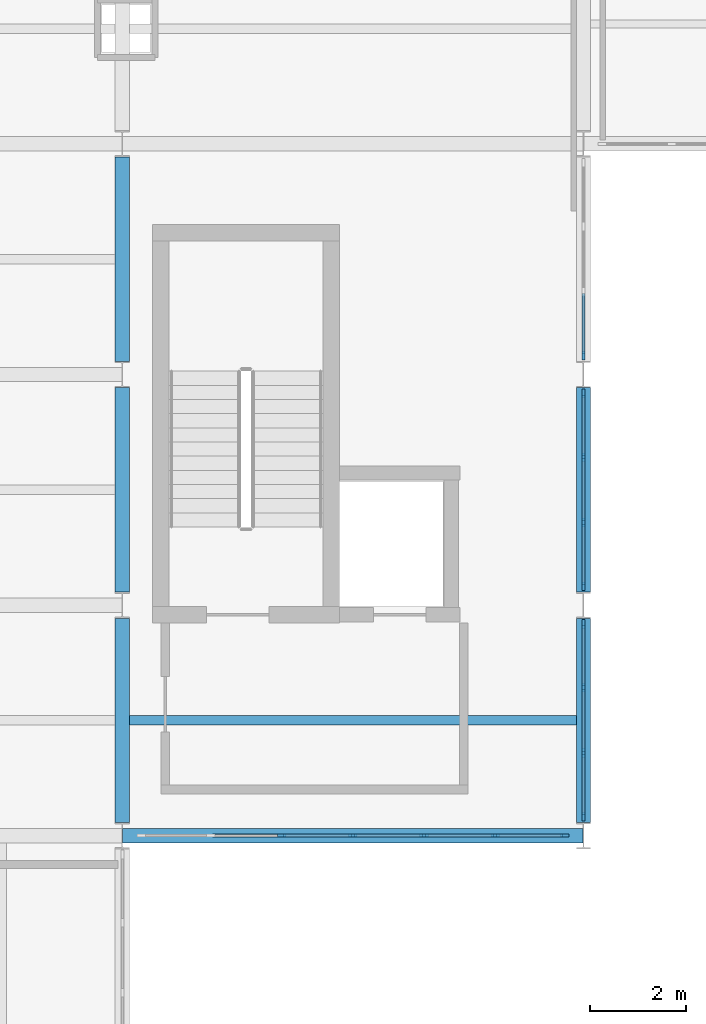
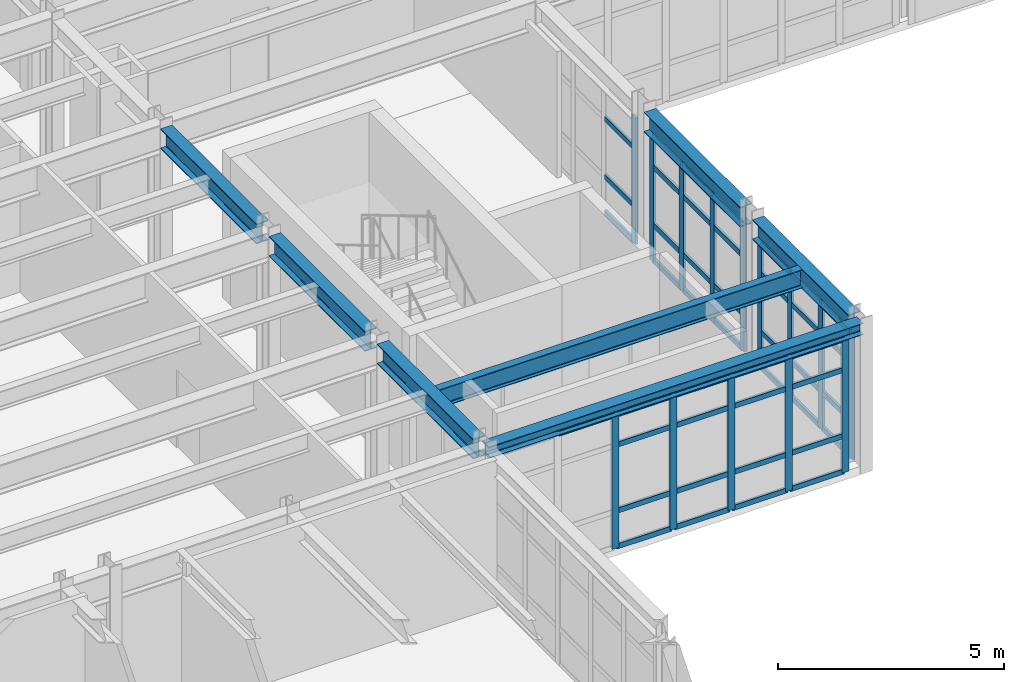
# One storey, part 27 of 76: 58 members, 7 beams, 4 elements without a shape of their own.
"""IFC4 building model written with IfcOpenShell, lengths in metres."""

from ifc_helpers import new_model, si_unit, direction, frame, origin, origin_2d, place, context, subcontext, project, spatial, rectangle, i_section, extrude, material, layer, layer_set, material_profile, profile_set, type_object, element, aggregate, save


model = new_model("IFC4")

# Units and contexts
model_context = context("Model", 3, precision=1e-05, world=origin(), true_north=direction((0.0, 1.0)))
body_context = subcontext(model_context, "Body", "Model", "MODEL_VIEW")
ifc_project = project(units=[si_unit("LENGTHUNIT", "METRE"), si_unit("AREAUNIT", "SQUARE_METRE"), si_unit("VOLUMEUNIT", "CUBIC_METRE"), si_unit("PLANEANGLEUNIT", "RADIAN"), si_unit("MASSUNIT", "GRAM", prefix="KILO")], contexts=[model_context])

# Site, building, storey
site_placement = place(None, origin())
site = spatial("IfcSite", under=ifc_project, at=site_placement, CompositionType="ELEMENT")
building_placement = place(site_placement, origin())
building = spatial("IfcBuilding", under=site, at=building_placement, Name="Nordkorset Police Headquarters", CompositionType="ELEMENT")
storey_placement = place(building_placement, frame((0.0, 0.0, 13.64990234375)))
storey = spatial("IfcBuildingStorey", under=building, at=storey_placement, Name="L03", CompositionType="ELEMENT", Elevation=13.64990234375)

# Beam
ifc_material_1 = material(Name="Steel S355J2", Category="steel")
ifc_material_profile_1 = material_profile(ifc_material_1, i_section(OverallWidth=0.199951171875, OverallDepth=0.5, WebThickness=0.01025390625, FlangeThickness=0.01611328125, FilletRadius=0.02099609375, at=origin_2d()), Name="IPE 500")
ifc_profile_set_1 = profile_set([ifc_material_profile_1], Name="Steel S355J2")
beam_type_1 = type_object("IfcBeamType", Name="Beam_IPE_500", PredefinedType="BEAM", material=ifc_profile_set_1)
beam_1_placement = place(storey_placement, frame((19.35009765625, 85.60009765625, 3.72998046875), z_axis=(1.0, 0.0, 0.0), x_axis=(0.0, 1.0, 0.0)))
element("IfcBeam", 1, at=beam_1_placement, inside=storey, type_object=beam_type_1, Name="Composite Floor Beam V1 L03 1-0-1", PredefinedType="BEAM", context=body_context, shape_type="SweptSolid", body=[
    extrude(i_section(OverallWidth=0.199951171875, OverallDepth=0.5, WebThickness=0.01025390625, FlangeThickness=0.01611328125, FilletRadius=0.02099609375, at=origin_2d()), origin(), (0.0, 0.0, 1.0), 9.2998046875),
])

# Curtain wall, members
ifc_material_2 = material(Name="Aluminium alloy AW-6060", Category="aluminium")
ifc_layer_1 = layer(ifc_material_2, 0.179931640625, Name="Aluminium alloy AW-6060")
ifc_layer_set_1 = layer_set([ifc_layer_1], Name="Aluminium alloy AW-6060")
curtain_wall_type_1 = type_object("IfcCurtainWallType", Name="CW_Unit_408x342", PredefinedType="USERDEFINED", material=ifc_layer_set_1)
curtain_wall_1_placement = place(storey_placement, origin())
curtain_wall_1 = element("IfcCurtainWall", 2, at=curtain_wall_1_placement, inside=storey, type_object=curtain_wall_type_1, Name="Unitised Curtain Wall L03 V1E-0", ObjectType="UNITISED CURTAIN WALL", PredefinedType="USERDEFINED")
ifc_material_3 = material(Name="Aluminium alloy AW-6060", Category="aluminium")
ifc_material_profile_2 = material_profile(ifc_material_3, rectangle(XDim=0.06494140625, YDim=0.179931640625, at=origin_2d()), Name="ALU MULL 65x180")
ifc_profile_set_2 = profile_set([ifc_material_profile_2], Name="Aluminium alloy AW-6060")
member_type_1 = type_object("IfcMemberType", Name="CW_Mullion_65x180", PredefinedType="MULLION", material=ifc_profile_set_2)
member_1_placement = place(storey_placement, frame((28.800048828125, 83.592529296875, 0.0), z_axis=(0.0, 0.0, 1.0), x_axis=(-1.0, 0.0, 0.0)))
member_1 = element("IfcMember", 3, at=member_1_placement, type_object=member_type_1, Name="CW-72 mullion 1", PredefinedType="MULLION", context=body_context, shape_type="SweptSolid", body=[
    extrude(rectangle(XDim=0.06494140625, YDim=0.179931640625, at=origin_2d()), origin(), (0.0, 0.0, 1.0), 3.420166015625),
])
member_2_placement = place(storey_placement, frame((28.800048828125, 84.919921875, 0.0), z_axis=(0.0, 0.0, 1.0), x_axis=(-1.0, 0.0, 0.0)))
member_2 = element("IfcMember", 4, at=member_2_placement, type_object=member_type_1, Name="CW-72 mullion 2", PredefinedType="MULLION", context=body_context, shape_type="SweptSolid", body=[
    extrude(rectangle(XDim=0.06494140625, YDim=0.179931640625, at=origin_2d()), origin(), (0.0, 0.0, 1.0), 3.420166015625),
])
member_3_placement = place(storey_placement, frame((28.800048828125, 86.280029296875, 0.0), z_axis=(0.0, 0.0, 1.0), x_axis=(-1.0, 0.0, 0.0)))
member_3 = element("IfcMember", 5, at=member_3_placement, type_object=member_type_1, Name="CW-72 mullion 3", PredefinedType="MULLION", context=body_context, shape_type="SweptSolid", body=[
    extrude(rectangle(XDim=0.06494140625, YDim=0.179931640625, at=origin_2d()), origin(), (0.0, 0.0, 1.0), 3.420166015625),
])
member_4_placement = place(storey_placement, frame((28.800048828125, 87.607421875, 0.0), z_axis=(0.0, 0.0, 1.0), x_axis=(-1.0, 0.0, 0.0)))
member_4 = element("IfcMember", 6, at=member_4_placement, type_object=member_type_1, Name="CW-72 mullion 4", PredefinedType="MULLION", context=body_context, shape_type="SweptSolid", body=[
    extrude(rectangle(XDim=0.06494140625, YDim=0.179931640625, at=origin_2d()), origin(), (0.0, 0.0, 1.0), 3.420166015625),
])

curtain_wall_2_placement = place(storey_placement, origin())
curtain_wall_2 = element("IfcCurtainWall", 7, at=curtain_wall_2_placement, inside=storey, type_object=curtain_wall_type_1, Name="Unitised Curtain Wall L03 V1E-1", ObjectType="UNITISED CURTAIN WALL", PredefinedType="USERDEFINED")
member_5_placement = place(storey_placement, frame((28.800048828125, 88.392578125, 0.0), z_axis=(0.0, 0.0, 1.0), x_axis=(-1.0, 0.0, 0.0)))
member_5 = element("IfcMember", 8, at=member_5_placement, type_object=member_type_1, Name="CW-72 mullion 1", PredefinedType="MULLION", context=body_context, shape_type="SweptSolid", body=[
    extrude(rectangle(XDim=0.06494140625, YDim=0.179931640625, at=origin_2d()), origin(), (0.0, 0.0, 1.0), 3.420166015625),
])
member_6_placement = place(storey_placement, frame((28.800048828125, 89.719970703125, 0.0), z_axis=(0.0, 0.0, 1.0), x_axis=(-1.0, 0.0, 0.0)))
member_6 = element("IfcMember", 9, at=member_6_placement, type_object=member_type_1, Name="CW-72 mullion 2", PredefinedType="MULLION", context=body_context, shape_type="SweptSolid", body=[
    extrude(rectangle(XDim=0.06494140625, YDim=0.179931640625, at=origin_2d()), origin(), (0.0, 0.0, 1.0), 3.420166015625),
])
member_7_placement = place(storey_placement, frame((28.800048828125, 91.080078125, 0.0), z_axis=(0.0, 0.0, 1.0), x_axis=(-1.0, 0.0, 0.0)))
member_7 = element("IfcMember", 10, at=member_7_placement, type_object=member_type_1, Name="CW-72 mullion 3", PredefinedType="MULLION", context=body_context, shape_type="SweptSolid", body=[
    extrude(rectangle(XDim=0.06494140625, YDim=0.179931640625, at=origin_2d()), origin(), (0.0, 0.0, 1.0), 3.420166015625),
])
member_8_placement = place(storey_placement, frame((28.800048828125, 92.407470703125, 0.0), z_axis=(0.0, 0.0, 1.0), x_axis=(-1.0, 0.0, 0.0)))
member_8 = element("IfcMember", 11, at=member_8_placement, type_object=member_type_1, Name="CW-72 mullion 4", PredefinedType="MULLION", context=body_context, shape_type="SweptSolid", body=[
    extrude(rectangle(XDim=0.06494140625, YDim=0.179931640625, at=origin_2d()), origin(), (0.0, 0.0, 1.0), 3.420166015625),
])

# Curtain wall, member
curtain_wall_3_placement = place(storey_placement, origin())
curtain_wall_3 = element("IfcCurtainWall", 12, at=curtain_wall_3_placement, inside=storey, type_object=curtain_wall_type_1, Name="Unitised Curtain Wall L03 V1E-2", ObjectType="UNITISED CURTAIN WALL", PredefinedType="USERDEFINED")
member_9_placement = place(storey_placement, frame((28.800048828125, 93.1923828125, 0.0), z_axis=(0.0, 0.0, 1.0), x_axis=(-1.0, 0.0, 0.0)))
member_9 = element("IfcMember", 13, at=member_9_placement, type_object=member_type_1, Name="CW-72 mullion 1", PredefinedType="MULLION", context=body_context, shape_type="SweptSolid", body=[
    extrude(rectangle(XDim=0.06494140625, YDim=0.179931640625, at=origin_2d()), origin(), (0.0, 0.0, 1.0), 3.420166015625),
])

# Curtain wall, members
ifc_material_4 = material(Name="Aluminium alloy AW-6060", Category="aluminium")
ifc_layer_2 = layer(ifc_material_4, 0.179931640625, Name="Aluminium alloy AW-6060")
ifc_layer_set_2 = layer_set([ifc_layer_2], Name="Aluminium alloy AW-6060")
curtain_wall_type_2 = type_object("IfcCurtainWallType", Name="CW_Unit_888x364", PredefinedType="USERDEFINED", material=ifc_layer_set_2)
curtain_wall_4_placement = place(storey_placement, origin())
curtain_wall_4 = element("IfcCurtainWall", 14, at=curtain_wall_4_placement, inside=storey, type_object=curtain_wall_type_2, Name="Unitised Curtain Wall L03 V1S-2", ObjectType="UNITISED CURTAIN WALL", PredefinedType="USERDEFINED")
member_10_placement = place(storey_placement, frame((22.52001953125, 83.199951171875, 0.0), z_axis=(0.0, 0.0, 1.0), x_axis=(0.0, 1.0, 0.0)))
member_10 = element("IfcMember", 15, at=member_10_placement, type_object=member_type_1, Name="CW-53 mullion 3", PredefinedType="MULLION", context=body_context, shape_type="SweptSolid", body=[
    extrude(rectangle(XDim=0.06494140625, YDim=0.179931640625, at=origin_2d()), origin(), (0.0, 0.0, 1.0), 3.635009765625),
])
member_11_placement = place(storey_placement, frame((24.0, 83.199951171875, 0.0), z_axis=(0.0, 0.0, 1.0), x_axis=(0.0, 1.0, 0.0)))
member_11 = element("IfcMember", 16, at=member_11_placement, type_object=member_type_1, Name="CW-53 mullion 4", PredefinedType="MULLION", context=body_context, shape_type="SweptSolid", body=[
    extrude(rectangle(XDim=0.06494140625, YDim=0.179931640625, at=origin_2d()), origin(), (0.0, 0.0, 1.0), 3.635009765625),
])
member_12_placement = place(storey_placement, frame((25.47998046875, 83.199951171875, 0.0), z_axis=(0.0, 0.0, 1.0), x_axis=(0.0, 1.0, 0.0)))
member_12 = element("IfcMember", 17, at=member_12_placement, type_object=member_type_1, Name="CW-53 mullion 5", PredefinedType="MULLION", context=body_context, shape_type="SweptSolid", body=[
    extrude(rectangle(XDim=0.06494140625, YDim=0.179931640625, at=origin_2d()), origin(), (0.0, 0.0, 1.0), 3.635009765625),
])
member_13_placement = place(storey_placement, frame((26.9599609375, 83.199951171875, 0.0), z_axis=(0.0, 0.0, 1.0), x_axis=(0.0, 1.0, 0.0)))
member_13 = element("IfcMember", 18, at=member_13_placement, type_object=member_type_1, Name="CW-53 mullion 6", PredefinedType="MULLION", context=body_context, shape_type="SweptSolid", body=[
    extrude(rectangle(XDim=0.06494140625, YDim=0.179931640625, at=origin_2d()), origin(), (0.0, 0.0, 1.0), 3.635009765625),
])
member_14_placement = place(storey_placement, frame((28.407470703125, 83.199951171875, 0.0), z_axis=(0.0, 0.0, 1.0), x_axis=(0.0, 1.0, 0.0)))
member_14 = element("IfcMember", 19, at=member_14_placement, type_object=member_type_1, Name="CW-53 mullion 7", PredefinedType="MULLION", context=body_context, shape_type="SweptSolid", body=[
    extrude(rectangle(XDim=0.06494140625, YDim=0.179931640625, at=origin_2d()), origin(), (0.0, 0.0, 1.0), 3.635009765625),
])

# Member
ifc_material_5 = material(Name="Aluminium alloy AW-6060", Category="aluminium")
ifc_material_profile_3 = material_profile(ifc_material_5, rectangle(XDim=0.06494140625, YDim=0.139892578125, at=origin_2d()), Name="ALU TRAN 65x140")
ifc_profile_set_3 = profile_set([ifc_material_profile_3], Name="Aluminium alloy AW-6060")
member_type_2 = type_object("IfcMemberType", Name="CW_Transom_65x140", PredefinedType="USERDEFINED", material=ifc_profile_set_3)
member_15_placement = place(storey_placement, frame((28.800048828125, 83.625, 0.03271484375), z_axis=(0.0, 1.0, 0.0), x_axis=(-1.0, 0.0, 0.0)))
member_15 = element("IfcMember", 20, at=member_15_placement, type_object=member_type_2, Name="CW-72 transom 1.1", ObjectType="TRANSOM", PredefinedType="USERDEFINED", context=body_context, shape_type="SweptSolid", body=[
    extrude(rectangle(XDim=0.06494140625, YDim=0.139892578125, at=origin_2d()), origin(), (0.0, 0.0, 1.0), 1.262451171875),
])

member_16_placement = place(storey_placement, frame((28.800048828125, 83.625, 1.0), z_axis=(0.0, 1.0, 0.0), x_axis=(-1.0, 0.0, 0.0)))
member_16 = element("IfcMember", 21, at=member_16_placement, type_object=member_type_2, Name="CW-72 transom 1.2", ObjectType="TRANSOM", PredefinedType="USERDEFINED", context=body_context, shape_type="SweptSolid", body=[
    extrude(rectangle(XDim=0.06494140625, YDim=0.139892578125, at=origin_2d()), origin(), (0.0, 0.0, 1.0), 1.262451171875),
])

member_17_placement = place(storey_placement, frame((28.800048828125, 83.625, 2.570068359375), z_axis=(0.0, 1.0, 0.0), x_axis=(-1.0, 0.0, 0.0)))
member_17 = element("IfcMember", 22, at=member_17_placement, type_object=member_type_2, Name="CW-72 transom 1.3", ObjectType="TRANSOM", PredefinedType="USERDEFINED", context=body_context, shape_type="SweptSolid", body=[
    extrude(rectangle(XDim=0.06494140625, YDim=0.139892578125, at=origin_2d()), origin(), (0.0, 0.0, 1.0), 1.262451171875),
])

member_18_placement = place(storey_placement, frame((28.800048828125, 83.625, 3.3876953125), z_axis=(0.0, 1.0, 0.0), x_axis=(-1.0, 0.0, 0.0)))
member_18 = element("IfcMember", 23, at=member_18_placement, type_object=member_type_2, Name="CW-72 transom 1.4", ObjectType="TRANSOM", PredefinedType="USERDEFINED", context=body_context, shape_type="SweptSolid", body=[
    extrude(rectangle(XDim=0.06494140625, YDim=0.139892578125, at=origin_2d()), origin(), (0.0, 0.0, 1.0), 1.262451171875),
])

member_19_placement = place(storey_placement, frame((28.800048828125, 84.952392578125, 0.03271484375), z_axis=(0.0, 1.0, 0.0), x_axis=(-1.0, 0.0, 0.0)))
member_19 = element("IfcMember", 24, at=member_19_placement, type_object=member_type_2, Name="CW-72 transom 2.1", ObjectType="TRANSOM", PredefinedType="USERDEFINED", context=body_context, shape_type="SweptSolid", body=[
    extrude(rectangle(XDim=0.06494140625, YDim=0.139892578125, at=origin_2d()), origin(), (0.0, 0.0, 1.0), 1.295166015625),
])

member_20_placement = place(storey_placement, frame((28.800048828125, 84.952392578125, 1.0), z_axis=(0.0, 1.0, 0.0), x_axis=(-1.0, 0.0, 0.0)))
member_20 = element("IfcMember", 25, at=member_20_placement, type_object=member_type_2, Name="CW-72 transom 2.2", ObjectType="TRANSOM", PredefinedType="USERDEFINED", context=body_context, shape_type="SweptSolid", body=[
    extrude(rectangle(XDim=0.06494140625, YDim=0.139892578125, at=origin_2d()), origin(), (0.0, 0.0, 1.0), 1.295166015625),
])

member_21_placement = place(storey_placement, frame((28.800048828125, 84.952392578125, 2.570068359375), z_axis=(0.0, 1.0, 0.0), x_axis=(-1.0, 0.0, 0.0)))
member_21 = element("IfcMember", 26, at=member_21_placement, type_object=member_type_2, Name="CW-72 transom 2.3", ObjectType="TRANSOM", PredefinedType="USERDEFINED", context=body_context, shape_type="SweptSolid", body=[
    extrude(rectangle(XDim=0.06494140625, YDim=0.139892578125, at=origin_2d()), origin(), (0.0, 0.0, 1.0), 1.295166015625),
])

member_22_placement = place(storey_placement, frame((28.800048828125, 84.952392578125, 3.3876953125), z_axis=(0.0, 1.0, 0.0), x_axis=(-1.0, 0.0, 0.0)))
member_22 = element("IfcMember", 27, at=member_22_placement, type_object=member_type_2, Name="CW-72 transom 2.4", ObjectType="TRANSOM", PredefinedType="USERDEFINED", context=body_context, shape_type="SweptSolid", body=[
    extrude(rectangle(XDim=0.06494140625, YDim=0.139892578125, at=origin_2d()), origin(), (0.0, 0.0, 1.0), 1.295166015625),
])

member_23_placement = place(storey_placement, frame((28.800048828125, 86.3125, 0.03271484375), z_axis=(0.0, 1.0, 0.0), x_axis=(-1.0, 0.0, 0.0)))
member_23 = element("IfcMember", 28, at=member_23_placement, type_object=member_type_2, Name="CW-72 transom 3.1", ObjectType="TRANSOM", PredefinedType="USERDEFINED", context=body_context, shape_type="SweptSolid", body=[
    extrude(rectangle(XDim=0.06494140625, YDim=0.139892578125, at=origin_2d()), origin(), (0.0, 0.0, 1.0), 1.262451171875),
])

member_24_placement = place(storey_placement, frame((28.800048828125, 86.3125, 1.0), z_axis=(0.0, 1.0, 0.0), x_axis=(-1.0, 0.0, 0.0)))
member_24 = element("IfcMember", 29, at=member_24_placement, type_object=member_type_2, Name="CW-72 transom 3.2", ObjectType="TRANSOM", PredefinedType="USERDEFINED", context=body_context, shape_type="SweptSolid", body=[
    extrude(rectangle(XDim=0.06494140625, YDim=0.139892578125, at=origin_2d()), origin(), (0.0, 0.0, 1.0), 1.262451171875),
])

member_25_placement = place(storey_placement, frame((28.800048828125, 86.3125, 2.570068359375), z_axis=(0.0, 1.0, 0.0), x_axis=(-1.0, 0.0, 0.0)))
member_25 = element("IfcMember", 30, at=member_25_placement, type_object=member_type_2, Name="CW-72 transom 3.3", ObjectType="TRANSOM", PredefinedType="USERDEFINED", context=body_context, shape_type="SweptSolid", body=[
    extrude(rectangle(XDim=0.06494140625, YDim=0.139892578125, at=origin_2d()), origin(), (0.0, 0.0, 1.0), 1.262451171875),
])

member_26_placement = place(storey_placement, frame((28.800048828125, 86.3125, 3.3876953125), z_axis=(0.0, 1.0, 0.0), x_axis=(-1.0, 0.0, 0.0)))
member_26 = element("IfcMember", 31, at=member_26_placement, type_object=member_type_2, Name="CW-72 transom 3.4", ObjectType="TRANSOM", PredefinedType="USERDEFINED", context=body_context, shape_type="SweptSolid", body=[
    extrude(rectangle(XDim=0.06494140625, YDim=0.139892578125, at=origin_2d()), origin(), (0.0, 0.0, 1.0), 1.262451171875),
])

aggregate(curtain_wall_1, [member_1, member_2, member_3, member_4, member_15, member_16, member_17, member_18, member_19, member_20, member_21, member_22, member_23, member_24, member_25, member_26])

member_27_placement = place(storey_placement, frame((28.800048828125, 88.425048828125, 0.03271484375), z_axis=(0.0, 1.0, 0.0), x_axis=(-1.0, 0.0, 0.0)))
member_27 = element("IfcMember", 32, at=member_27_placement, type_object=member_type_2, Name="CW-72 transom 1.1", ObjectType="TRANSOM", PredefinedType="USERDEFINED", context=body_context, shape_type="SweptSolid", body=[
    extrude(rectangle(XDim=0.06494140625, YDim=0.139892578125, at=origin_2d()), origin(), (0.0, 0.0, 1.0), 1.262451171875),
])

member_28_placement = place(storey_placement, frame((28.800048828125, 88.425048828125, 1.0), z_axis=(0.0, 1.0, 0.0), x_axis=(-1.0, 0.0, 0.0)))
member_28 = element("IfcMember", 33, at=member_28_placement, type_object=member_type_2, Name="CW-72 transom 1.2", ObjectType="TRANSOM", PredefinedType="USERDEFINED", context=body_context, shape_type="SweptSolid", body=[
    extrude(rectangle(XDim=0.06494140625, YDim=0.139892578125, at=origin_2d()), origin(), (0.0, 0.0, 1.0), 1.262451171875),
])

member_29_placement = place(storey_placement, frame((28.800048828125, 88.425048828125, 2.570068359375), z_axis=(0.0, 1.0, 0.0), x_axis=(-1.0, 0.0, 0.0)))
member_29 = element("IfcMember", 34, at=member_29_placement, type_object=member_type_2, Name="CW-72 transom 1.3", ObjectType="TRANSOM", PredefinedType="USERDEFINED", context=body_context, shape_type="SweptSolid", body=[
    extrude(rectangle(XDim=0.06494140625, YDim=0.139892578125, at=origin_2d()), origin(), (0.0, 0.0, 1.0), 1.262451171875),
])

member_30_placement = place(storey_placement, frame((28.800048828125, 88.425048828125, 3.3876953125), z_axis=(0.0, 1.0, 0.0), x_axis=(-1.0, 0.0, 0.0)))
member_30 = element("IfcMember", 35, at=member_30_placement, type_object=member_type_2, Name="CW-72 transom 1.4", ObjectType="TRANSOM", PredefinedType="USERDEFINED", context=body_context, shape_type="SweptSolid", body=[
    extrude(rectangle(XDim=0.06494140625, YDim=0.139892578125, at=origin_2d()), origin(), (0.0, 0.0, 1.0), 1.262451171875),
])

member_31_placement = place(storey_placement, frame((28.800048828125, 89.75244140625, 0.03271484375), z_axis=(0.0, 1.0, 0.0), x_axis=(-1.0, 0.0, 0.0)))
member_31 = element("IfcMember", 36, at=member_31_placement, type_object=member_type_2, Name="CW-72 transom 2.1", ObjectType="TRANSOM", PredefinedType="USERDEFINED", context=body_context, shape_type="SweptSolid", body=[
    extrude(rectangle(XDim=0.06494140625, YDim=0.139892578125, at=origin_2d()), origin(), (0.0, 0.0, 1.0), 1.295166015625),
])

member_32_placement = place(storey_placement, frame((28.800048828125, 89.75244140625, 1.0), z_axis=(0.0, 1.0, 0.0), x_axis=(-1.0, 0.0, 0.0)))
member_32 = element("IfcMember", 37, at=member_32_placement, type_object=member_type_2, Name="CW-72 transom 2.2", ObjectType="TRANSOM", PredefinedType="USERDEFINED", context=body_context, shape_type="SweptSolid", body=[
    extrude(rectangle(XDim=0.06494140625, YDim=0.139892578125, at=origin_2d()), origin(), (0.0, 0.0, 1.0), 1.295166015625),
])

member_33_placement = place(storey_placement, frame((28.800048828125, 89.75244140625, 2.570068359375), z_axis=(0.0, 1.0, 0.0), x_axis=(-1.0, 0.0, 0.0)))
member_33 = element("IfcMember", 38, at=member_33_placement, type_object=member_type_2, Name="CW-72 transom 2.3", ObjectType="TRANSOM", PredefinedType="USERDEFINED", context=body_context, shape_type="SweptSolid", body=[
    extrude(rectangle(XDim=0.06494140625, YDim=0.139892578125, at=origin_2d()), origin(), (0.0, 0.0, 1.0), 1.295166015625),
])

member_34_placement = place(storey_placement, frame((28.800048828125, 89.75244140625, 3.3876953125), z_axis=(0.0, 1.0, 0.0), x_axis=(-1.0, 0.0, 0.0)))
member_34 = element("IfcMember", 39, at=member_34_placement, type_object=member_type_2, Name="CW-72 transom 2.4", ObjectType="TRANSOM", PredefinedType="USERDEFINED", context=body_context, shape_type="SweptSolid", body=[
    extrude(rectangle(XDim=0.06494140625, YDim=0.139892578125, at=origin_2d()), origin(), (0.0, 0.0, 1.0), 1.295166015625),
])

member_35_placement = place(storey_placement, frame((28.800048828125, 91.112548828125, 0.03271484375), z_axis=(0.0, 1.0, 0.0), x_axis=(-1.0, 0.0, 0.0)))
member_35 = element("IfcMember", 40, at=member_35_placement, type_object=member_type_2, Name="CW-72 transom 3.1", ObjectType="TRANSOM", PredefinedType="USERDEFINED", context=body_context, shape_type="SweptSolid", body=[
    extrude(rectangle(XDim=0.06494140625, YDim=0.139892578125, at=origin_2d()), origin(), (0.0, 0.0, 1.0), 1.262451171875),
])

member_36_placement = place(storey_placement, frame((28.800048828125, 91.112548828125, 1.0), z_axis=(0.0, 1.0, 0.0), x_axis=(-1.0, 0.0, 0.0)))
member_36 = element("IfcMember", 41, at=member_36_placement, type_object=member_type_2, Name="CW-72 transom 3.2", ObjectType="TRANSOM", PredefinedType="USERDEFINED", context=body_context, shape_type="SweptSolid", body=[
    extrude(rectangle(XDim=0.06494140625, YDim=0.139892578125, at=origin_2d()), origin(), (0.0, 0.0, 1.0), 1.262451171875),
])

member_37_placement = place(storey_placement, frame((28.800048828125, 91.112548828125, 2.570068359375), z_axis=(0.0, 1.0, 0.0), x_axis=(-1.0, 0.0, 0.0)))
member_37 = element("IfcMember", 42, at=member_37_placement, type_object=member_type_2, Name="CW-72 transom 3.3", ObjectType="TRANSOM", PredefinedType="USERDEFINED", context=body_context, shape_type="SweptSolid", body=[
    extrude(rectangle(XDim=0.06494140625, YDim=0.139892578125, at=origin_2d()), origin(), (0.0, 0.0, 1.0), 1.262451171875),
])

member_38_placement = place(storey_placement, frame((28.800048828125, 91.112548828125, 3.3876953125), z_axis=(0.0, 1.0, 0.0), x_axis=(-1.0, 0.0, 0.0)))
member_38 = element("IfcMember", 43, at=member_38_placement, type_object=member_type_2, Name="CW-72 transom 3.4", ObjectType="TRANSOM", PredefinedType="USERDEFINED", context=body_context, shape_type="SweptSolid", body=[
    extrude(rectangle(XDim=0.06494140625, YDim=0.139892578125, at=origin_2d()), origin(), (0.0, 0.0, 1.0), 1.262451171875),
])

aggregate(curtain_wall_2, [member_5, member_6, member_7, member_8, member_27, member_28, member_29, member_30, member_31, member_32, member_33, member_34, member_35, member_36, member_37, member_38])

member_39_placement = place(storey_placement, frame((28.800048828125, 93.22509765625, 0.03271484375), z_axis=(0.0, 1.0, 0.0), x_axis=(-1.0, 0.0, 0.0)))
member_39 = element("IfcMember", 44, at=member_39_placement, type_object=member_type_2, Name="CW-72 transom 1.1", ObjectType="TRANSOM", PredefinedType="USERDEFINED", context=body_context, shape_type="SweptSolid", body=[
    extrude(rectangle(XDim=0.06494140625, YDim=0.139892578125, at=origin_2d()), origin(), (0.0, 0.0, 1.0), 1.262451171875),
])

member_40_placement = place(storey_placement, frame((28.800048828125, 93.22509765625, 1.0), z_axis=(0.0, 1.0, 0.0), x_axis=(-1.0, 0.0, 0.0)))
member_40 = element("IfcMember", 45, at=member_40_placement, type_object=member_type_2, Name="CW-72 transom 1.2", ObjectType="TRANSOM", PredefinedType="USERDEFINED", context=body_context, shape_type="SweptSolid", body=[
    extrude(rectangle(XDim=0.06494140625, YDim=0.139892578125, at=origin_2d()), origin(), (0.0, 0.0, 1.0), 1.262451171875),
])

member_41_placement = place(storey_placement, frame((28.800048828125, 93.22509765625, 2.570068359375), z_axis=(0.0, 1.0, 0.0), x_axis=(-1.0, 0.0, 0.0)))
member_41 = element("IfcMember", 46, at=member_41_placement, type_object=member_type_2, Name="CW-72 transom 1.3", ObjectType="TRANSOM", PredefinedType="USERDEFINED", context=body_context, shape_type="SweptSolid", body=[
    extrude(rectangle(XDim=0.06494140625, YDim=0.139892578125, at=origin_2d()), origin(), (0.0, 0.0, 1.0), 1.262451171875),
])

aggregate(curtain_wall_3, [member_9, member_39, member_40, member_41])

member_42_placement = place(storey_placement, frame((21.072509765625, 83.199951171875, 3.6025390625), z_axis=(1.0, 0.0, 0.0), x_axis=(0.0, 1.0, 0.0)))
member_42 = element("IfcMember", 47, at=member_42_placement, type_object=member_type_2, Name="CW-53 transom 2.4", ObjectType="TRANSOM", PredefinedType="USERDEFINED", context=body_context, shape_type="SweptSolid", body=[
    extrude(rectangle(XDim=0.06494140625, YDim=0.139892578125, at=origin_2d()), origin(), (0.0, 0.0, 1.0), 1.4150390625),
])

member_43_placement = place(storey_placement, frame((22.552490234375, 83.199951171875, 0.03271484375), z_axis=(1.0, 0.0, 0.0), x_axis=(0.0, 1.0, 0.0)))
member_43 = element("IfcMember", 48, at=member_43_placement, type_object=member_type_2, Name="CW-53 transom 3.1", ObjectType="TRANSOM", PredefinedType="USERDEFINED", context=body_context, shape_type="SweptSolid", body=[
    extrude(rectangle(XDim=0.06494140625, YDim=0.139892578125, at=origin_2d()), origin(), (0.0, 0.0, 1.0), 1.4150390625),
])

member_44_placement = place(storey_placement, frame((22.552490234375, 83.199951171875, 1.0), z_axis=(1.0, 0.0, 0.0), x_axis=(0.0, 1.0, 0.0)))
member_44 = element("IfcMember", 49, at=member_44_placement, type_object=member_type_2, Name="CW-53 transom 3.2", ObjectType="TRANSOM", PredefinedType="USERDEFINED", context=body_context, shape_type="SweptSolid", body=[
    extrude(rectangle(XDim=0.06494140625, YDim=0.139892578125, at=origin_2d()), origin(), (0.0, 0.0, 1.0), 1.4150390625),
])

member_45_placement = place(storey_placement, frame((22.552490234375, 83.199951171875, 2.78515625), z_axis=(1.0, 0.0, 0.0), x_axis=(0.0, 1.0, 0.0)))
member_45 = element("IfcMember", 50, at=member_45_placement, type_object=member_type_2, Name="CW-53 transom 3.3", ObjectType="TRANSOM", PredefinedType="USERDEFINED", context=body_context, shape_type="SweptSolid", body=[
    extrude(rectangle(XDim=0.06494140625, YDim=0.139892578125, at=origin_2d()), origin(), (0.0, 0.0, 1.0), 1.4150390625),
])

member_46_placement = place(storey_placement, frame((22.552490234375, 83.199951171875, 3.6025390625), z_axis=(1.0, 0.0, 0.0), x_axis=(0.0, 1.0, 0.0)))
member_46 = element("IfcMember", 51, at=member_46_placement, type_object=member_type_2, Name="CW-53 transom 3.4", ObjectType="TRANSOM", PredefinedType="USERDEFINED", context=body_context, shape_type="SweptSolid", body=[
    extrude(rectangle(XDim=0.06494140625, YDim=0.139892578125, at=origin_2d()), origin(), (0.0, 0.0, 1.0), 1.4150390625),
])

member_47_placement = place(storey_placement, frame((24.032470703125, 83.199951171875, 0.03271484375), z_axis=(1.0, 0.0, 0.0), x_axis=(0.0, 1.0, 0.0)))
member_47 = element("IfcMember", 52, at=member_47_placement, type_object=member_type_2, Name="CW-53 transom 4.1", ObjectType="TRANSOM", PredefinedType="USERDEFINED", context=body_context, shape_type="SweptSolid", body=[
    extrude(rectangle(XDim=0.06494140625, YDim=0.139892578125, at=origin_2d()), origin(), (0.0, 0.0, 1.0), 1.4150390625),
])

member_48_placement = place(storey_placement, frame((24.032470703125, 83.199951171875, 1.0), z_axis=(1.0, 0.0, 0.0), x_axis=(0.0, 1.0, 0.0)))
member_48 = element("IfcMember", 53, at=member_48_placement, type_object=member_type_2, Name="CW-53 transom 4.2", ObjectType="TRANSOM", PredefinedType="USERDEFINED", context=body_context, shape_type="SweptSolid", body=[
    extrude(rectangle(XDim=0.06494140625, YDim=0.139892578125, at=origin_2d()), origin(), (0.0, 0.0, 1.0), 1.4150390625),
])

member_49_placement = place(storey_placement, frame((24.032470703125, 83.199951171875, 2.78515625), z_axis=(1.0, 0.0, 0.0), x_axis=(0.0, 1.0, 0.0)))
member_49 = element("IfcMember", 54, at=member_49_placement, type_object=member_type_2, Name="CW-53 transom 4.3", ObjectType="TRANSOM", PredefinedType="USERDEFINED", context=body_context, shape_type="SweptSolid", body=[
    extrude(rectangle(XDim=0.06494140625, YDim=0.139892578125, at=origin_2d()), origin(), (0.0, 0.0, 1.0), 1.4150390625),
])

member_50_placement = place(storey_placement, frame((24.032470703125, 83.199951171875, 3.6025390625), z_axis=(1.0, 0.0, 0.0), x_axis=(0.0, 1.0, 0.0)))
member_50 = element("IfcMember", 55, at=member_50_placement, type_object=member_type_2, Name="CW-53 transom 4.4", ObjectType="TRANSOM", PredefinedType="USERDEFINED", context=body_context, shape_type="SweptSolid", body=[
    extrude(rectangle(XDim=0.06494140625, YDim=0.139892578125, at=origin_2d()), origin(), (0.0, 0.0, 1.0), 1.4150390625),
])

member_51_placement = place(storey_placement, frame((25.512451171875, 83.199951171875, 0.03271484375), z_axis=(1.0, 0.0, 0.0), x_axis=(0.0, 1.0, 0.0)))
member_51 = element("IfcMember", 56, at=member_51_placement, type_object=member_type_2, Name="CW-53 transom 5.1", ObjectType="TRANSOM", PredefinedType="USERDEFINED", context=body_context, shape_type="SweptSolid", body=[
    extrude(rectangle(XDim=0.06494140625, YDim=0.139892578125, at=origin_2d()), origin(), (0.0, 0.0, 1.0), 1.4150390625),
])

member_52_placement = place(storey_placement, frame((25.512451171875, 83.199951171875, 1.0), z_axis=(1.0, 0.0, 0.0), x_axis=(0.0, 1.0, 0.0)))
member_52 = element("IfcMember", 57, at=member_52_placement, type_object=member_type_2, Name="CW-53 transom 5.2", ObjectType="TRANSOM", PredefinedType="USERDEFINED", context=body_context, shape_type="SweptSolid", body=[
    extrude(rectangle(XDim=0.06494140625, YDim=0.139892578125, at=origin_2d()), origin(), (0.0, 0.0, 1.0), 1.4150390625),
])

member_53_placement = place(storey_placement, frame((25.512451171875, 83.199951171875, 2.78515625), z_axis=(1.0, 0.0, 0.0), x_axis=(0.0, 1.0, 0.0)))
member_53 = element("IfcMember", 58, at=member_53_placement, type_object=member_type_2, Name="CW-53 transom 5.3", ObjectType="TRANSOM", PredefinedType="USERDEFINED", context=body_context, shape_type="SweptSolid", body=[
    extrude(rectangle(XDim=0.06494140625, YDim=0.139892578125, at=origin_2d()), origin(), (0.0, 0.0, 1.0), 1.4150390625),
])

member_54_placement = place(storey_placement, frame((25.512451171875, 83.199951171875, 3.6025390625), z_axis=(1.0, 0.0, 0.0), x_axis=(0.0, 1.0, 0.0)))
member_54 = element("IfcMember", 59, at=member_54_placement, type_object=member_type_2, Name="CW-53 transom 5.4", ObjectType="TRANSOM", PredefinedType="USERDEFINED", context=body_context, shape_type="SweptSolid", body=[
    extrude(rectangle(XDim=0.06494140625, YDim=0.139892578125, at=origin_2d()), origin(), (0.0, 0.0, 1.0), 1.4150390625),
])

member_55_placement = place(storey_placement, frame((26.992431640625, 83.199951171875, 0.03271484375), z_axis=(1.0, 0.0, 0.0), x_axis=(0.0, 1.0, 0.0)))
member_55 = element("IfcMember", 60, at=member_55_placement, type_object=member_type_2, Name="CW-53 transom 6.1", ObjectType="TRANSOM", PredefinedType="USERDEFINED", context=body_context, shape_type="SweptSolid", body=[
    extrude(rectangle(XDim=0.06494140625, YDim=0.139892578125, at=origin_2d()), origin(), (0.0, 0.0, 1.0), 1.382568359375),
])

member_56_placement = place(storey_placement, frame((26.992431640625, 83.199951171875, 1.0), z_axis=(1.0, 0.0, 0.0), x_axis=(0.0, 1.0, 0.0)))
member_56 = element("IfcMember", 61, at=member_56_placement, type_object=member_type_2, Name="CW-53 transom 6.2", ObjectType="TRANSOM", PredefinedType="USERDEFINED", context=body_context, shape_type="SweptSolid", body=[
    extrude(rectangle(XDim=0.06494140625, YDim=0.139892578125, at=origin_2d()), origin(), (0.0, 0.0, 1.0), 1.382568359375),
])

member_57_placement = place(storey_placement, frame((26.992431640625, 83.199951171875, 2.78515625), z_axis=(1.0, 0.0, 0.0), x_axis=(0.0, 1.0, 0.0)))
member_57 = element("IfcMember", 62, at=member_57_placement, type_object=member_type_2, Name="CW-53 transom 6.3", ObjectType="TRANSOM", PredefinedType="USERDEFINED", context=body_context, shape_type="SweptSolid", body=[
    extrude(rectangle(XDim=0.06494140625, YDim=0.139892578125, at=origin_2d()), origin(), (0.0, 0.0, 1.0), 1.382568359375),
])

member_58_placement = place(storey_placement, frame((26.992431640625, 83.199951171875, 3.6025390625), z_axis=(1.0, 0.0, 0.0), x_axis=(0.0, 1.0, 0.0)))
member_58 = element("IfcMember", 63, at=member_58_placement, type_object=member_type_2, Name="CW-53 transom 6.4", ObjectType="TRANSOM", PredefinedType="USERDEFINED", context=body_context, shape_type="SweptSolid", body=[
    extrude(rectangle(XDim=0.06494140625, YDim=0.139892578125, at=origin_2d()), origin(), (0.0, 0.0, 1.0), 1.382568359375),
])

aggregate(curtain_wall_4, [member_10, member_11, member_12, member_13, member_14, member_42, member_43, member_44, member_45, member_46, member_47, member_48, member_49, member_50, member_51, member_52, member_53, member_54, member_55, member_56, member_57, member_58])

# Beams
ifc_material_6 = material(Name="Steel S355J2", Category="steel")
ifc_material_profile_4 = material_profile(ifc_material_6, i_section(OverallWidth=0.300048828125, OverallDepth=0.5400390625, WebThickness=0.012451171875, FlangeThickness=0.02392578125, FilletRadius=0.027099609375, at=origin_2d()), Name="HEA 550")
ifc_profile_set_4 = profile_set([ifc_material_profile_4], Name="Steel S355J2")
beam_type_2 = type_object("IfcBeamType", Name="Girder_HEA_550", PredefinedType="USERDEFINED", material=ifc_profile_set_4)
for number, where, z_axis, x_axis, name in (
    (64, (19.199951171875, 83.47509765625, 3.710205078125), (0.0, 1.0, 0.0), (-1.0, 0.0, 0.0), "Girder V1 L03 GY-1-0"),
    (65, (19.199951171875, 88.27490234375, 3.710205078125), (0.0, 1.0, 0.0), (-1.0, 0.0, 0.0), "Girder V1 L03 GY-1-1"),
    (66, (19.199951171875, 93.074951171875, 3.710205078125), (0.0, 1.0, 0.0), (-1.0, 0.0, 0.0), "Girder V1 L03 GY-1-2"),
    (67, (28.800048828125, 83.47509765625, 3.710205078125), (0.0, 1.0, 0.0), (-1.0, 0.0, 0.0), "Girder V1 L03 GY-2-0"),
    (68, (28.800048828125, 88.27490234375, 3.710205078125), (0.0, 1.0, 0.0), (-1.0, 0.0, 0.0), "Girder V1 L03 GY-2-1"),
):
    element("IfcBeam", number, at=place(storey_placement, frame(where, z_axis=z_axis, x_axis=x_axis)), inside=storey, type_object=beam_type_2, Name=name, ObjectType="GIRDER", PredefinedType="USERDEFINED", context=body_context, shape_type="SweptSolid", body=[
        extrude(i_section(OverallWidth=0.300048828125, OverallDepth=0.5400390625, WebThickness=0.012451171875, FlangeThickness=0.02392578125, FilletRadius=0.027099609375, at=origin_2d()), origin(), (0.0, 0.0, 1.0), 4.25),
    ])
ifc_material_7 = material(Name="Steel S355J2", Category="steel")
ifc_material_profile_5 = material_profile(ifc_material_7, i_section(OverallWidth=0.300048828125, OverallDepth=0.31005859375, WebThickness=0.009033203125, FlangeThickness=0.015380859375, FilletRadius=0.027099609375, at=origin_2d()), Name="HEA 320")
ifc_profile_set_5 = profile_set([ifc_material_profile_5], Name="Steel S355J2")
beam_type_3 = type_object("IfcBeamType", Name="Spandrel_HEA_320", PredefinedType="SPANDREL", material=ifc_profile_set_5)
beam_2_placement = place(storey_placement, frame((19.20751953125, 83.199951171875, 3.81005859375), z_axis=(1.0, 0.0, 0.0), x_axis=(0.0, 1.0, 0.0)))
element("IfcBeam", 69, at=beam_2_placement, inside=storey, type_object=beam_type_3, Name="Girder V1 L03 GX-0-1", PredefinedType="SPANDREL", context=body_context, shape_type="SweptSolid", body=[
    extrude(i_section(OverallWidth=0.300048828125, OverallDepth=0.31005859375, WebThickness=0.009033203125, FlangeThickness=0.015380859375, FilletRadius=0.027099609375, at=origin_2d()), origin(), (0.0, 0.0, 1.0), 9.5849609375),
])

save(model, "model.ifc")
